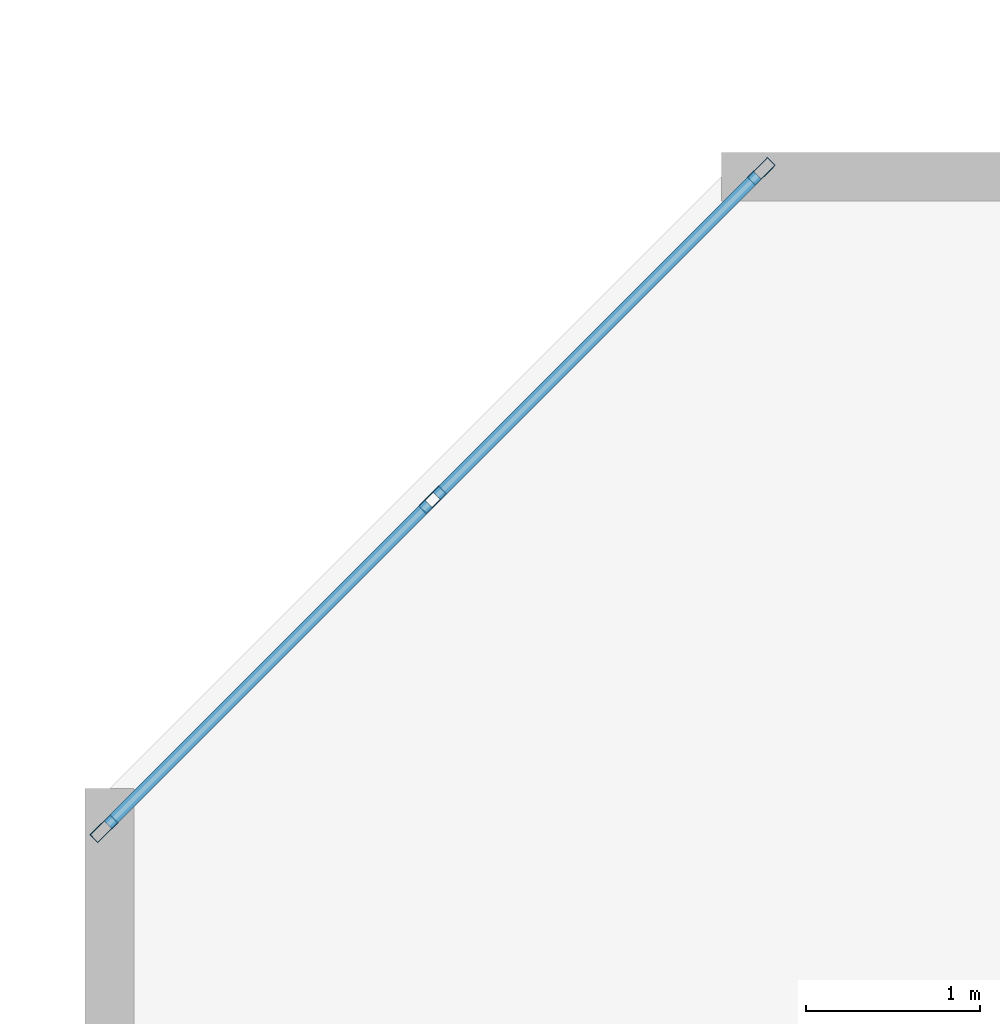
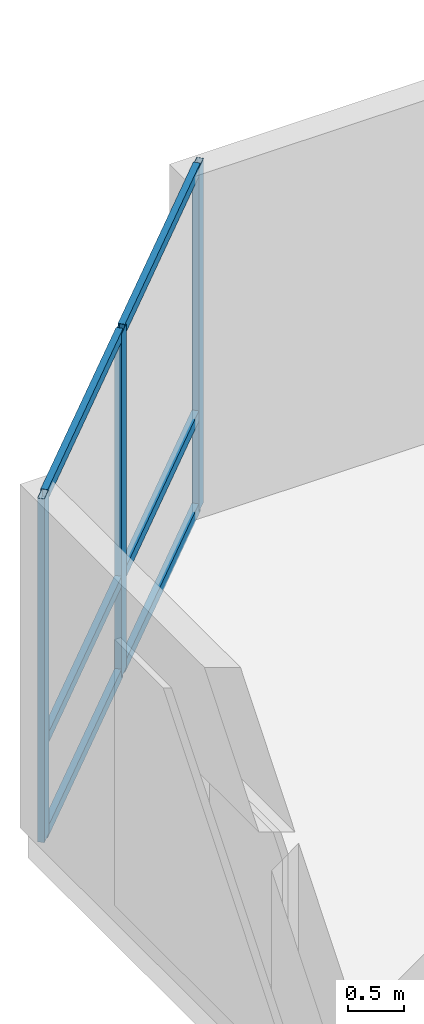
# One storey, part 2 of 10: 9 members, 1 element without a shape of its own.
"""IFC4 building model written with IfcOpenShell, lengths in metres."""

from ifc_helpers import new_model, si_unit, direction, frame, origin, origin_2d, place, context, subcontext, project, spatial, hollow_rectangle, extrude, material, layer, layer_set, material_profile, profile_set, type_object, element, aggregate, save


model = new_model("IFC4")

# Units and contexts
model_context = context("Model", 3, precision=1e-05, world=origin(), true_north=direction((0.0, 1.0)))
body_context = subcontext(model_context, "Body", "Model", "MODEL_VIEW")
ifc_project = project(units=[si_unit("LENGTHUNIT", "METRE"), si_unit("AREAUNIT", "SQUARE_METRE"), si_unit("VOLUMEUNIT", "CUBIC_METRE"), si_unit("PLANEANGLEUNIT", "RADIAN"), si_unit("MASSUNIT", "GRAM", prefix="KILO")], contexts=[model_context])

# Site, building, storey
site_placement = place(None, origin())
site = spatial("IfcSite", under=ifc_project, at=site_placement, CompositionType="ELEMENT")
building_placement = place(site_placement, origin())
building = spatial("IfcBuilding", under=site, at=building_placement, Name="Kestravale Grand Hotel", CompositionType="ELEMENT")
storey_placement = place(building_placement, frame((0.0, 0.0, 285.39990234375)))
storey = spatial("IfcBuildingStorey", under=building, at=storey_placement, Name="L71", CompositionType="ELEMENT", Elevation=285.39990234375)

# Curtain wall, members
ifc_material_1 = material(Name="Thermally broken champagne-bronze aluminium and low-E glazing", Category="aluminium")
ifc_layer = layer(ifc_material_1, 0.179931640625)
ifc_layer_set = layer_set([ifc_layer], Name="CW-Z4")
curtain_wall_type = type_object("IfcCurtainWallType", Name="CW-Z4", PredefinedType="NOTDEFINED", material=ifc_layer_set)
curtain_wall_placement = place(storey_placement, origin())
curtain_wall = element("IfcCurtainWall", 1, at=curtain_wall_placement, inside=storey, type_object=curtain_wall_type, Name="L71 unitised curtain wall 18", PredefinedType="NOTDEFINED")
ifc_material_2 = material(Name="Aluminium 6063-T6 anodised", Category="aluminium")
ifc_material_profile_1 = material_profile(ifc_material_2, hollow_rectangle(XDim=0.06494140625, YDim=0.1650390625, WallThickness=0.00341796875, at=origin_2d()))
ifc_profile_set_1 = profile_set([ifc_material_profile_1], Name="Aluminium 6063-T6 anodised")
member_type_1 = type_object("IfcMemberType", Name="CW-MUL-165", PredefinedType="MULLION", material=ifc_profile_set_1)
member_1_placement = place(storey_placement, frame((11.690185546875, 44.59228515625, 0.0), z_axis=(0.0, 0.0, 1.0), x_axis=(0.707106781187, -0.707106781187, 0.0)))
member_1 = element("IfcMember", 2, at=member_1_placement, type_object=member_type_1, Name="CW-Z4 mullion 1", PredefinedType="MULLION", context=body_context, shape_type="SweptSolid", body=[
    extrude(hollow_rectangle(XDim=0.06494140625, YDim=0.1650390625, WallThickness=0.00341796875, at=origin_2d()), origin(), (0.0, 0.0, 1.0), 3.760009765625),
])
member_2_placement = place(storey_placement, frame((9.799072265625, 42.700927734375, 0.0), z_axis=(0.0, 0.0, 1.0), x_axis=(0.707106781187, -0.707106781187, 0.0)))
member_2 = element("IfcMember", 3, at=member_2_placement, type_object=member_type_1, Name="CW-Z4 mullion 2", PredefinedType="MULLION", context=body_context, shape_type="SweptSolid", body=[
    extrude(hollow_rectangle(XDim=0.06494140625, YDim=0.1650390625, WallThickness=0.00341796875, at=origin_2d()), origin(), (0.0, 0.0, 1.0), 3.760009765625),
])
member_3_placement = place(storey_placement, frame((7.90771484375, 40.809814453125, 0.0), z_axis=(0.0, 0.0, 1.0), x_axis=(0.707106781187, -0.707106781187, 0.0)))
member_3 = element("IfcMember", 4, at=member_3_placement, type_object=member_type_1, Name="CW-Z4 mullion 3", PredefinedType="MULLION", context=body_context, shape_type="SweptSolid", body=[
    extrude(hollow_rectangle(XDim=0.06494140625, YDim=0.1650390625, WallThickness=0.00341796875, at=origin_2d()), origin(), (0.0, 0.0, 1.0), 3.760009765625),
])
ifc_material_3 = material(Name="Aluminium 6063-T6 anodised", Category="aluminium")
ifc_material_profile_2 = material_profile(ifc_material_3, hollow_rectangle(XDim=0.06494140625, YDim=0.114990234375, WallThickness=0.003173828125, at=origin_2d()))
ifc_profile_set_2 = profile_set([ifc_material_profile_2], Name="Aluminium 6063-T6 anodised")
member_type_2 = type_object("IfcMemberType", Name="CW-TRN-115", PredefinedType="USERDEFINED", material=ifc_profile_set_2)
member_4_placement = place(storey_placement, frame((11.667236328125, 44.5693359375, 0.03271484375), z_axis=(-0.707060004037, -0.707153555242, 0.0), x_axis=(0.707153555242, -0.707060004037, 0.0)))
member_4 = element("IfcMember", 5, at=member_4_placement, type_object=member_type_2, Name="CW-Z4 transom 1.1", ObjectType="TRANSOM", PredefinedType="USERDEFINED", context=body_context, shape_type="SweptSolid", body=[
    extrude(hollow_rectangle(XDim=0.06494140625, YDim=0.114990234375, WallThickness=0.003173828125, at=origin_2d()), origin(), (0.0, 0.0, 1.0), 2.609619140625),
])
member_5_placement = place(storey_placement, frame((11.667236328125, 44.5693359375, 1.050048828125), z_axis=(-0.707060004037, -0.707153555242, 0.0), x_axis=(0.707153555242, -0.707060004037, 0.0)))
member_5 = element("IfcMember", 6, at=member_5_placement, type_object=member_type_2, Name="CW-Z4 transom 1.2", ObjectType="TRANSOM", PredefinedType="USERDEFINED", context=body_context, shape_type="SweptSolid", body=[
    extrude(hollow_rectangle(XDim=0.06494140625, YDim=0.114990234375, WallThickness=0.003173828125, at=origin_2d()), origin(), (0.0, 0.0, 1.0), 2.609619140625),
])
member_6_placement = place(storey_placement, frame((11.667236328125, 44.5693359375, 3.7275390625), z_axis=(-0.707060004037, -0.707153555242, 0.0), x_axis=(0.707153555242, -0.707060004037, 0.0)))
member_6 = element("IfcMember", 7, at=member_6_placement, type_object=member_type_2, Name="CW-Z4 transom 1.3", ObjectType="TRANSOM", PredefinedType="USERDEFINED", context=body_context, shape_type="SweptSolid", body=[
    extrude(hollow_rectangle(XDim=0.06494140625, YDim=0.114990234375, WallThickness=0.003173828125, at=origin_2d()), origin(), (0.0, 0.0, 1.0), 2.609619140625),
])
member_7_placement = place(storey_placement, frame((9.776123046875, 42.677978515625, 0.03271484375), z_axis=(-0.707153555242, -0.707060004037, 0.0), x_axis=(0.707060004037, -0.707153555242, 0.0)))
member_7 = element("IfcMember", 8, at=member_7_placement, type_object=member_type_2, Name="CW-Z4 transom 2.1", ObjectType="TRANSOM", PredefinedType="USERDEFINED", context=body_context, shape_type="SweptSolid", body=[
    extrude(hollow_rectangle(XDim=0.06494140625, YDim=0.114990234375, WallThickness=0.003173828125, at=origin_2d()), origin(), (0.0, 0.0, 1.0), 2.609619140625),
])
member_8_placement = place(storey_placement, frame((9.776123046875, 42.677978515625, 1.050048828125), z_axis=(-0.707153555242, -0.707060004037, 0.0), x_axis=(0.707060004037, -0.707153555242, 0.0)))
member_8 = element("IfcMember", 9, at=member_8_placement, type_object=member_type_2, Name="CW-Z4 transom 2.2", ObjectType="TRANSOM", PredefinedType="USERDEFINED", context=body_context, shape_type="SweptSolid", body=[
    extrude(hollow_rectangle(XDim=0.06494140625, YDim=0.114990234375, WallThickness=0.003173828125, at=origin_2d()), origin(), (0.0, 0.0, 1.0), 2.609619140625),
])
member_9_placement = place(storey_placement, frame((9.776123046875, 42.677978515625, 3.7275390625), z_axis=(-0.707153555242, -0.707060004037, 0.0), x_axis=(0.707060004037, -0.707153555242, 0.0)))
member_9 = element("IfcMember", 10, at=member_9_placement, type_object=member_type_2, Name="CW-Z4 transom 2.3", ObjectType="TRANSOM", PredefinedType="USERDEFINED", context=body_context, shape_type="SweptSolid", body=[
    extrude(hollow_rectangle(XDim=0.06494140625, YDim=0.114990234375, WallThickness=0.003173828125, at=origin_2d()), origin(), (0.0, 0.0, 1.0), 2.609619140625),
])
aggregate(curtain_wall, [member_1, member_2, member_3, member_4, member_5, member_6, member_7, member_8, member_9])

save(model, "model.ifc")
